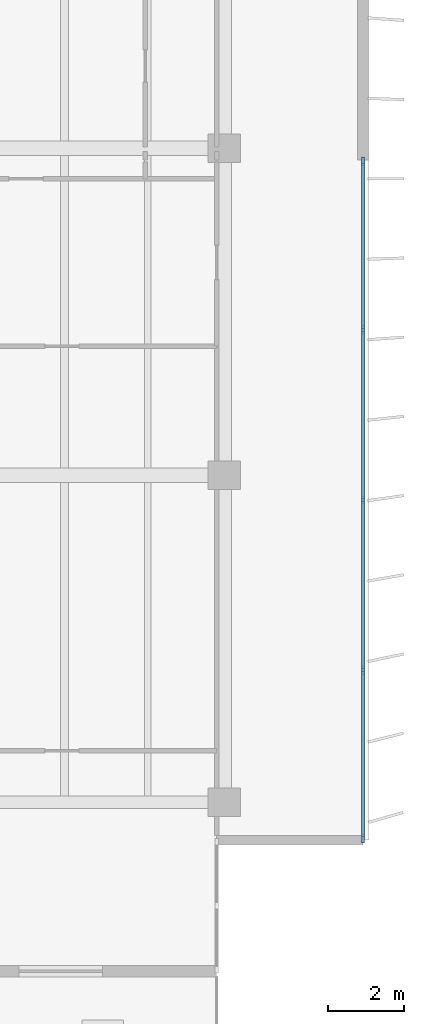
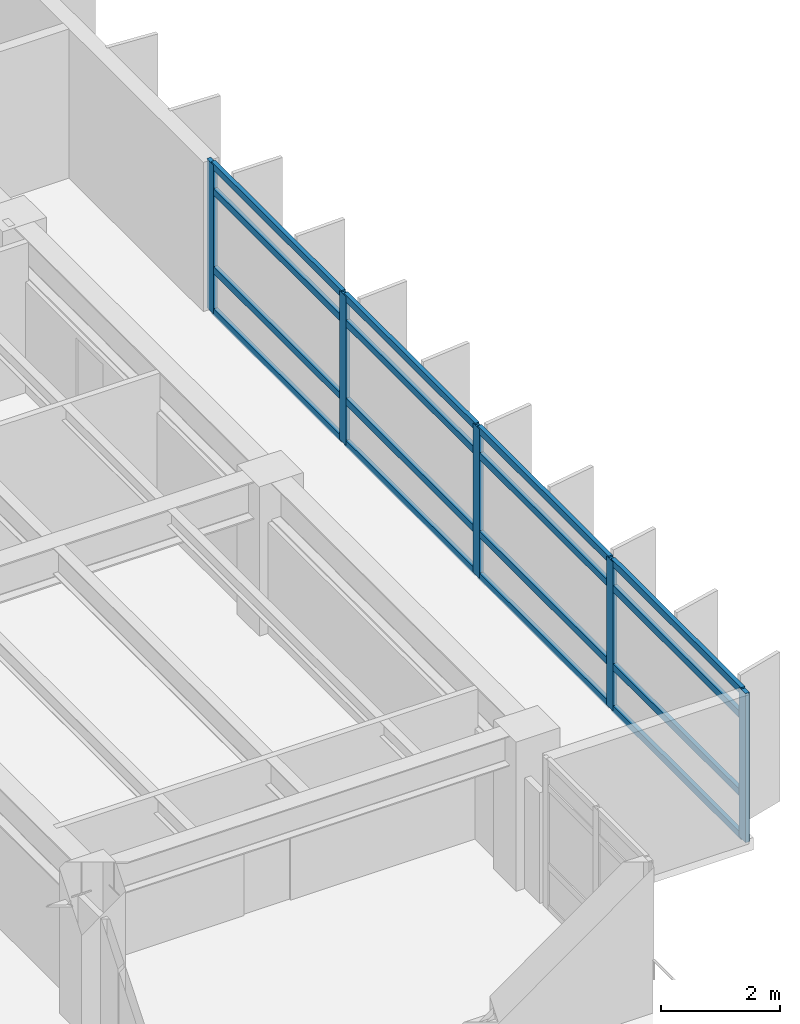
# One storey, part 6 of 19: 21 members, 1 element without a shape of its own.
"""IFC4 building model written with IfcOpenShell, lengths in metres."""

import ifcopenshell
import ifcopenshell.guid

model = None  # the IFC model being written
_history = None  # IfcOwnerHistory: only IFC2X3 demands one
_inside = {}  # id of a spatial element -> (the spatial element, [elements in it])
_under = {}  # id of a project, library or spatial element -> (it, [spatial elements below it])
_declared = {}  # id of a project -> (the project, [libraries it declares])
_typed = {}  # id of a type object -> (the type object, [elements of that type])
_made_of = {}  # id of a material, layer set ... -> (it, [elements and type objects made of it])


def new_model(schema):
    """Start an empty IFC model of exactly this schema.

    Asked for "IFC4X3", IfcOpenShell would pick the latest addendum, in which some entities
    have other attributes; the version numbers below select the first issue.
    IFC2X3 requires an IfcOwnerHistory on every rooted entity: one is made here for all.
    """
    global model, _history
    if schema == "IFC4X3":
        model = ifcopenshell.file(schema_version=(4, 3, 0, 0))
    else:
        model = ifcopenshell.file(schema=schema)
    _inside.clear()
    _under.clear()
    _declared.clear()
    _typed.clear()
    _made_of.clear()
    _history = None
    if model.schema == "IFC2X3":
        org = make("IfcOrganization", Name="unknown")
        user = make(
            "IfcPersonAndOrganization",
            ThePerson=make("IfcPerson", FamilyName="unknown"),
            TheOrganization=org,
        )
        app = make(
            "IfcApplication",
            ApplicationDeveloper=org,
            Version="unknown",
            ApplicationFullName="unknown",
            ApplicationIdentifier="unknown",
        )
        _history = make(
            "IfcOwnerHistory",
            OwningUser=user,
            OwningApplication=app,
            ChangeAction="ADDED",
            CreationDate=0,
        )
    return model


def make(cls, **values):
    """One entity of the class cls with the attributes given. An attribute that is None is left unset."""
    return model.create_entity(
        cls, **{name: value for name, value in values.items() if value is not None}
    )


def rooted(cls, **values):
    """An entity with a GlobalId (a new one), such as an element, a storey or a relation."""
    return make(cls, GlobalId=ifcopenshell.guid.new(), OwnerHistory=_history, **values)


def si_unit(unit_type, name, prefix=None):
    """IfcSIUnit, for example si_unit("LENGTHUNIT", "METRE", prefix="MILLI")."""
    return make("IfcSIUnit", UnitType=unit_type, Prefix=prefix, Name=name)


def assignment(units):
    """IfcUnitAssignment: the units of a project."""
    return None if units is None else make("IfcUnitAssignment", Units=units)


def point(xyz):
    """IfcCartesianPoint."""
    return None if xyz is None else make("IfcCartesianPoint", Coordinates=xyz)


def direction(xyz):
    """IfcDirection."""
    return None if xyz is None else make("IfcDirection", DirectionRatios=xyz)


def frame(location, z_axis=None, x_axis=None):
    """IfcAxis2Placement3D, a coordinate frame: its origin and axes. An axis left out is left unset."""
    return make(
        "IfcAxis2Placement3D",
        Location=point(location),
        Axis=direction(z_axis),
        RefDirection=direction(x_axis),
    )


def frame_2d(location, x_axis=None):
    """IfcAxis2Placement2D, a coordinate frame in the plane: its origin and x axis."""
    return make(
        "IfcAxis2Placement2D", Location=point(location), RefDirection=direction(x_axis)
    )


def origin():
    """The frame at (0, 0, 0) with its axes left unset."""
    return frame((0.0, 0.0, 0.0))


def origin_2d():
    """The frame at (0, 0) in the plane with its x axis left unset."""
    return frame_2d((0.0, 0.0))


def place(relative_to, where):
    """IfcLocalPlacement: puts the frame where relative to a parent placement (None: the world)."""
    return make(
        "IfcLocalPlacement", PlacementRelTo=relative_to, RelativePlacement=where
    )


def context(
    kind, dimensions, precision=None, world=None, true_north=None, identifier=None
):
    """IfcGeometricRepresentationContext, for example the 3D "Model" context."""
    return make(
        "IfcGeometricRepresentationContext",
        ContextIdentifier=identifier,
        ContextType=kind,
        CoordinateSpaceDimension=dimensions,
        Precision=precision,
        WorldCoordinateSystem=world,
        TrueNorth=true_north,
    )


def subcontext(parent, identifier, kind, view, scale=None):
    """IfcGeometricRepresentationSubContext, for example "Body" below "Model"."""
    return make(
        "IfcGeometricRepresentationSubContext",
        ContextIdentifier=identifier,
        ContextType=kind,
        ParentContext=parent,
        TargetScale=scale,
        TargetView=view,
    )


def project(units=None, contexts=None):
    """IfcProject with its units and contexts."""
    return rooted(
        "IfcProject",
        Name="project",
        RepresentationContexts=contexts,
        UnitsInContext=assignment(units),
    )


def spatial(cls, under=None, at=None, **own):
    """A site, building, storey or space (cls), placed at a placement, below another one or the project."""
    s = rooted(cls, ObjectPlacement=at, **own)
    if under is not None:
        _under.setdefault(under.id(), (under, []))[1].append(s)
    return s


def profile(cls, at=None, kind="AREA", **sizes):
    """A parametric profile (cls). Its sizes go by their IFC names, for example OverallWidth=200.0."""
    return make(cls, ProfileType=kind, Position=at, **sizes)


def rectangle(**sizes):
    """IfcRectangleProfileDef."""
    return profile("IfcRectangleProfileDef", **sizes)


def extrude(swept, where, along, depth):
    """IfcExtrudedAreaSolid: the profile swept, set in the frame where, extruded along a direction by depth."""
    return make(
        "IfcExtrudedAreaSolid",
        SweptArea=swept,
        Position=where,
        ExtrudedDirection=direction(along),
        Depth=depth,
    )


def shape(context_of_items, identifier, shape_type, items):
    """IfcShapeRepresentation: the items that make up one representation, for example the "Body"."""
    return make(
        "IfcShapeRepresentation",
        ContextOfItems=context_of_items,
        RepresentationIdentifier=identifier,
        RepresentationType=shape_type,
        Items=items,
    )


def material(Name=None, Category=None):
    """IfcMaterial."""
    return make("IfcMaterial", Name=Name, Category=Category)


def layer(
    of_material, thickness, ventilated=None, Name=None, Category=None, Priority=None
):
    """IfcMaterialLayer: one layer of a wall or slab, of a material (None: an air gap)."""
    return make(
        "IfcMaterialLayer",
        Material=of_material,
        LayerThickness=thickness,
        IsVentilated=ventilated,
        Name=Name,
        Category=Category,
        Priority=Priority,
    )


def layer_set(layers, Name=None):
    """IfcMaterialLayerSet."""
    return make("IfcMaterialLayerSet", MaterialLayers=layers, LayerSetName=Name)


def material_profile(
    of_material, cross_section, Name=None, Category=None, Priority=None
):
    """IfcMaterialProfile: a cross section and its material."""
    return make(
        "IfcMaterialProfile",
        Name=Name,
        Material=of_material,
        Profile=cross_section,
        Priority=Priority,
        Category=Category,
    )


def profile_set(profiles, Name=None, composite=None):
    """IfcMaterialProfileSet."""
    return make(
        "IfcMaterialProfileSet",
        Name=Name,
        MaterialProfiles=profiles,
        CompositeProfile=composite,
    )


def made_of(thing, what):
    """Note that an element or type object is made of a material, layer set ...; save() writes the relation."""
    if what is not None:
        _made_of.setdefault(what.id(), (what, []))[1].append(thing)
    return thing


def type_object(cls, material=None, **own):
    """A type object (cls), such as IfcWallType, which elements share."""
    return made_of(rooted(cls, **own), material)


def element(
    cls,
    number,
    at=None,
    inside=None,
    cuts=None,
    type_object=None,
    material=None,
    context=None,
    identifier="Body",
    shape_type=None,
    held_by="IfcProductDefinitionShape",
    body=None,
    shapes=None,
    **own,
):
    """One element of the class cls, such as IfcWall. Its Tag is "e" and its number.

    at: its placement. inside: the storey or other place that contains it. cuts: it is an
    opening in that element (IfcRelVoidsElement). A single representation is given by context,
    identifier, shape_type and body (its items); several are given by shapes. held_by: the class
    of the entity that holds the representations. save() writes the other relations.
    """
    e = rooted(cls, Tag="e%d" % number, ObjectPlacement=at, **own)
    if body is not None:
        shapes = [shape(context, identifier, shape_type, body)]
    if shapes is not None:
        e.Representation = make(held_by, Representations=shapes)
    if inside is not None:
        _inside.setdefault(inside.id(), (inside, []))[1].append(e)
    if cuts is not None:
        rooted(
            "IfcRelVoidsElement", RelatingBuildingElement=cuts, RelatedOpeningElement=e
        )
    if type_object is not None:
        _typed.setdefault(type_object.id(), (type_object, []))[1].append(e)
    return made_of(e, material)


def aggregate(whole, parts):
    """IfcRelAggregates: a whole, such as a stair, and the parts it consists of."""
    return rooted("IfcRelAggregates", RelatingObject=whole, RelatedObjects=parts)


def save(model, path):
    """Write the relations noted so far, then the file.

    IfcRelAggregates (storeys below a building ...), IfcRelContainedInSpatialStructure (elements
    in a storey), IfcRelDefinesByType, IfcRelAssociatesMaterial and IfcRelDeclares: one each for
    every whole, place, type object, material and project.
    """
    for whole, parts in _under.values():
        aggregate(whole, parts)
    for where, things in _inside.values():
        rooted(
            "IfcRelContainedInSpatialStructure",
            RelatedElements=things,
            RelatingStructure=where,
        )
    for kind, things in _typed.values():
        rooted("IfcRelDefinesByType", RelatedObjects=things, RelatingType=kind)
    for what, things in _made_of.values():
        rooted("IfcRelAssociatesMaterial", RelatedObjects=things, RelatingMaterial=what)
    for by, libraries in _declared.values():
        rooted("IfcRelDeclares", RelatingContext=by, RelatedDefinitions=libraries)
    model.write(path)


model = new_model("IFC4")

# Units and contexts
model_context = context("Model", 3, precision=1e-05, world=origin(), true_north=direction((0.0, 1.0)))
body_context = subcontext(model_context, "Body", "Model", "MODEL_VIEW")
ifc_project = project(units=[si_unit("LENGTHUNIT", "METRE"), si_unit("AREAUNIT", "SQUARE_METRE"), si_unit("VOLUMEUNIT", "CUBIC_METRE"), si_unit("PLANEANGLEUNIT", "RADIAN"), si_unit("MASSUNIT", "GRAM", prefix="KILO")], contexts=[model_context])

# Site, building, storey
site_placement = place(None, origin())
site = spatial("IfcSite", under=ifc_project, at=site_placement, CompositionType="ELEMENT")
building_placement = place(site_placement, origin())
building = spatial("IfcBuilding", under=site, at=building_placement, Name="Caelmar Bay Residences", CompositionType="ELEMENT")
storey_placement = place(building_placement, frame((0.0, 0.0, 163.800048828125)))
storey = spatial("IfcBuildingStorey", under=building, at=storey_placement, Name="L45", CompositionType="ELEMENT", Elevation=163.800048828125)

# Curtain wall, members
ifc_material_1 = material(Name="Anodised bronze aluminium 6063-T6 and laminated glass", Category="aluminium")
ifc_layer = layer(ifc_material_1, 0.179931640625)
ifc_layer_set = layer_set([ifc_layer], Name="Anodised bronze aluminium 6063-T6 and laminated glass")
curtain_wall_type = type_object("IfcCurtainWallType", Name="CW4-Z3", PredefinedType="NOTDEFINED", material=ifc_layer_set)
curtain_wall_placement = place(storey_placement, origin())
curtain_wall = element("IfcCurtainWall", 1, at=curtain_wall_placement, inside=storey, type_object=curtain_wall_type, Name="CW4 curtain wall L45", PredefinedType="NOTDEFINED")
ifc_material_2 = material(Name="Anodised bronze aluminium 6063-T6", Category="aluminium")
ifc_material_profile_1 = material_profile(ifc_material_2, rectangle(XDim=0.080078125, YDim=0.219970703125, at=origin_2d()), Name="CWM-80X220")
ifc_profile_set_1 = profile_set([ifc_material_profile_1], Name="Anodised bronze aluminium 6063-T6")
member_type_1 = type_object("IfcMemberType", Name="CWM-220", PredefinedType="MULLION", material=ifc_profile_set_1)
member_1_placement = place(storey_placement, frame((71.550048828125, 29.06005859375, 0.0), z_axis=(0.0, 0.0, 1.0), x_axis=(1.0, 0.0, 0.0)))
member_1 = element("IfcMember", 2, at=member_1_placement, type_object=member_type_1, Name="CW4 mullion 1", PredefinedType="MULLION", context=body_context, shape_type="SweptSolid", body=[
    extrude(rectangle(XDim=0.080078125, YDim=0.219970703125, at=origin_2d()), origin(), (0.0, 0.0, 1.0), 3.050048828125),
])
member_2_placement = place(storey_placement, frame((71.550048828125, 24.625, 0.0), z_axis=(0.0, 0.0, 1.0), x_axis=(1.0, 0.0, 0.0)))
member_2 = element("IfcMember", 3, at=member_2_placement, type_object=member_type_1, Name="CW4 mullion 2", PredefinedType="MULLION", context=body_context, shape_type="SweptSolid", body=[
    extrude(rectangle(XDim=0.080078125, YDim=0.219970703125, at=origin_2d()), origin(), (0.0, 0.0, 1.0), 3.050048828125),
])
member_3_placement = place(storey_placement, frame((71.550048828125, 20.14990234375, 0.0), z_axis=(0.0, 0.0, 1.0), x_axis=(1.0, 0.0, 0.0)))
member_3 = element("IfcMember", 4, at=member_3_placement, type_object=member_type_1, Name="CW4 mullion 3", PredefinedType="MULLION", context=body_context, shape_type="SweptSolid", body=[
    extrude(rectangle(XDim=0.080078125, YDim=0.219970703125, at=origin_2d()), origin(), (0.0, 0.0, 1.0), 3.050048828125),
])
member_4_placement = place(storey_placement, frame((71.550048828125, 15.675048828125, 0.0), z_axis=(0.0, 0.0, 1.0), x_axis=(1.0, 0.0, 0.0)))
member_4 = element("IfcMember", 5, at=member_4_placement, type_object=member_type_1, Name="CW4 mullion 4", PredefinedType="MULLION", context=body_context, shape_type="SweptSolid", body=[
    extrude(rectangle(XDim=0.080078125, YDim=0.219970703125, at=origin_2d()), origin(), (0.0, 0.0, 1.0), 3.050048828125),
])
member_5_placement = place(storey_placement, frame((71.550048828125, 11.239990234375, 0.0), z_axis=(0.0, 0.0, 1.0), x_axis=(1.0, 0.0, 0.0)))
member_5 = element("IfcMember", 6, at=member_5_placement, type_object=member_type_1, Name="CW4 mullion 5", PredefinedType="MULLION", context=body_context, shape_type="SweptSolid", body=[
    extrude(rectangle(XDim=0.080078125, YDim=0.219970703125, at=origin_2d()), origin(), (0.0, 0.0, 1.0), 3.050048828125),
])
ifc_material_profile_2 = material_profile(ifc_material_2, rectangle(XDim=0.080078125, YDim=0.139892578125, at=origin_2d()), Name="CWT-80X140")
ifc_profile_set_2 = profile_set([ifc_material_profile_2], Name="Anodised bronze aluminium 6063-T6")
member_type_2 = type_object("IfcMemberType", Name="CWT-140", PredefinedType="NOTDEFINED", material=ifc_profile_set_2)
member_6_placement = place(storey_placement, frame((71.550048828125, 29.02001953125, 0.0400390625), z_axis=(0.0, -1.0, 0.0), x_axis=(1.0, 0.0, 0.0)))
member_6 = element("IfcMember", 7, at=member_6_placement, type_object=member_type_2, Name="CW4 transom 1.1", ObjectType="TRANSOM", PredefinedType="USERDEFINED", context=body_context, shape_type="SweptSolid", body=[
    extrude(rectangle(XDim=0.080078125, YDim=0.139892578125, at=origin_2d()), origin(), (0.0, 0.0, 1.0), 4.35498046875),
])
member_7_placement = place(storey_placement, frame((71.550048828125, 29.02001953125, 0.89990234375), z_axis=(0.0, -1.0, 0.0), x_axis=(1.0, 0.0, 0.0)))
member_7 = element("IfcMember", 8, at=member_7_placement, type_object=member_type_2, Name="CW4 transom 1.2", ObjectType="TRANSOM", PredefinedType="USERDEFINED", context=body_context, shape_type="SweptSolid", body=[
    extrude(rectangle(XDim=0.080078125, YDim=0.139892578125, at=origin_2d()), origin(), (0.0, 0.0, 1.0), 4.35498046875),
])
member_8_placement = place(storey_placement, frame((71.550048828125, 29.02001953125, 2.5), z_axis=(0.0, -1.0, 0.0), x_axis=(1.0, 0.0, 0.0)))
member_8 = element("IfcMember", 9, at=member_8_placement, type_object=member_type_2, Name="CW4 transom 1.3", ObjectType="TRANSOM", PredefinedType="USERDEFINED", context=body_context, shape_type="SweptSolid", body=[
    extrude(rectangle(XDim=0.080078125, YDim=0.139892578125, at=origin_2d()), origin(), (0.0, 0.0, 1.0), 4.35498046875),
])
member_9_placement = place(storey_placement, frame((71.550048828125, 29.02001953125, 3.010009765625), z_axis=(0.0, -1.0, 0.0), x_axis=(1.0, 0.0, 0.0)))
member_9 = element("IfcMember", 10, at=member_9_placement, type_object=member_type_2, Name="CW4 transom 1.4", ObjectType="TRANSOM", PredefinedType="USERDEFINED", context=body_context, shape_type="SweptSolid", body=[
    extrude(rectangle(XDim=0.080078125, YDim=0.139892578125, at=origin_2d()), origin(), (0.0, 0.0, 1.0), 4.35498046875),
])
member_10_placement = place(storey_placement, frame((71.550048828125, 24.5849609375, 0.0400390625), z_axis=(0.0, -1.0, 0.0), x_axis=(1.0, 0.0, 0.0)))
member_10 = element("IfcMember", 11, at=member_10_placement, type_object=member_type_2, Name="CW4 transom 2.1", ObjectType="TRANSOM", PredefinedType="USERDEFINED", context=body_context, shape_type="SweptSolid", body=[
    extrude(rectangle(XDim=0.080078125, YDim=0.139892578125, at=origin_2d()), origin(), (0.0, 0.0, 1.0), 4.39501953125),
])
member_11_placement = place(storey_placement, frame((71.550048828125, 24.5849609375, 0.89990234375), z_axis=(0.0, -1.0, 0.0), x_axis=(1.0, 0.0, 0.0)))
member_11 = element("IfcMember", 12, at=member_11_placement, type_object=member_type_2, Name="CW4 transom 2.2", ObjectType="TRANSOM", PredefinedType="USERDEFINED", context=body_context, shape_type="SweptSolid", body=[
    extrude(rectangle(XDim=0.080078125, YDim=0.139892578125, at=origin_2d()), origin(), (0.0, 0.0, 1.0), 4.39501953125),
])
member_12_placement = place(storey_placement, frame((71.550048828125, 24.5849609375, 2.5), z_axis=(0.0, -1.0, 0.0), x_axis=(1.0, 0.0, 0.0)))
member_12 = element("IfcMember", 13, at=member_12_placement, type_object=member_type_2, Name="CW4 transom 2.3", ObjectType="TRANSOM", PredefinedType="USERDEFINED", context=body_context, shape_type="SweptSolid", body=[
    extrude(rectangle(XDim=0.080078125, YDim=0.139892578125, at=origin_2d()), origin(), (0.0, 0.0, 1.0), 4.39501953125),
])
member_13_placement = place(storey_placement, frame((71.550048828125, 24.5849609375, 3.010009765625), z_axis=(0.0, -1.0, 0.0), x_axis=(1.0, 0.0, 0.0)))
member_13 = element("IfcMember", 14, at=member_13_placement, type_object=member_type_2, Name="CW4 transom 2.4", ObjectType="TRANSOM", PredefinedType="USERDEFINED", context=body_context, shape_type="SweptSolid", body=[
    extrude(rectangle(XDim=0.080078125, YDim=0.139892578125, at=origin_2d()), origin(), (0.0, 0.0, 1.0), 4.39501953125),
])
member_14_placement = place(storey_placement, frame((71.550048828125, 20.110107421875, 0.0400390625), z_axis=(0.0, -1.0, 0.0), x_axis=(1.0, 0.0, 0.0)))
member_14 = element("IfcMember", 15, at=member_14_placement, type_object=member_type_2, Name="CW4 transom 3.1", ObjectType="TRANSOM", PredefinedType="USERDEFINED", context=body_context, shape_type="SweptSolid", body=[
    extrude(rectangle(XDim=0.080078125, YDim=0.139892578125, at=origin_2d()), origin(), (0.0, 0.0, 1.0), 4.39501953125),
])
member_15_placement = place(storey_placement, frame((71.550048828125, 20.110107421875, 0.89990234375), z_axis=(0.0, -1.0, 0.0), x_axis=(1.0, 0.0, 0.0)))
member_15 = element("IfcMember", 16, at=member_15_placement, type_object=member_type_2, Name="CW4 transom 3.2", ObjectType="TRANSOM", PredefinedType="USERDEFINED", context=body_context, shape_type="SweptSolid", body=[
    extrude(rectangle(XDim=0.080078125, YDim=0.139892578125, at=origin_2d()), origin(), (0.0, 0.0, 1.0), 4.39501953125),
])
member_16_placement = place(storey_placement, frame((71.550048828125, 20.110107421875, 2.5), z_axis=(0.0, -1.0, 0.0), x_axis=(1.0, 0.0, 0.0)))
member_16 = element("IfcMember", 17, at=member_16_placement, type_object=member_type_2, Name="CW4 transom 3.3", ObjectType="TRANSOM", PredefinedType="USERDEFINED", context=body_context, shape_type="SweptSolid", body=[
    extrude(rectangle(XDim=0.080078125, YDim=0.139892578125, at=origin_2d()), origin(), (0.0, 0.0, 1.0), 4.39501953125),
])
member_17_placement = place(storey_placement, frame((71.550048828125, 20.110107421875, 3.010009765625), z_axis=(0.0, -1.0, 0.0), x_axis=(1.0, 0.0, 0.0)))
member_17 = element("IfcMember", 18, at=member_17_placement, type_object=member_type_2, Name="CW4 transom 3.4", ObjectType="TRANSOM", PredefinedType="USERDEFINED", context=body_context, shape_type="SweptSolid", body=[
    extrude(rectangle(XDim=0.080078125, YDim=0.139892578125, at=origin_2d()), origin(), (0.0, 0.0, 1.0), 4.39501953125),
])
member_18_placement = place(storey_placement, frame((71.550048828125, 15.635009765625, 0.0400390625), z_axis=(0.0, -1.0, 0.0), x_axis=(1.0, 0.0, 0.0)))
member_18 = element("IfcMember", 19, at=member_18_placement, type_object=member_type_2, Name="CW4 transom 4.1", ObjectType="TRANSOM", PredefinedType="USERDEFINED", context=body_context, shape_type="SweptSolid", body=[
    extrude(rectangle(XDim=0.080078125, YDim=0.139892578125, at=origin_2d()), origin(), (0.0, 0.0, 1.0), 4.35498046875),
])
member_19_placement = place(storey_placement, frame((71.550048828125, 15.635009765625, 0.89990234375), z_axis=(0.0, -1.0, 0.0), x_axis=(1.0, 0.0, 0.0)))
member_19 = element("IfcMember", 20, at=member_19_placement, type_object=member_type_2, Name="CW4 transom 4.2", ObjectType="TRANSOM", PredefinedType="USERDEFINED", context=body_context, shape_type="SweptSolid", body=[
    extrude(rectangle(XDim=0.080078125, YDim=0.139892578125, at=origin_2d()), origin(), (0.0, 0.0, 1.0), 4.35498046875),
])
member_20_placement = place(storey_placement, frame((71.550048828125, 15.635009765625, 2.5), z_axis=(0.0, -1.0, 0.0), x_axis=(1.0, 0.0, 0.0)))
member_20 = element("IfcMember", 21, at=member_20_placement, type_object=member_type_2, Name="CW4 transom 4.3", ObjectType="TRANSOM", PredefinedType="USERDEFINED", context=body_context, shape_type="SweptSolid", body=[
    extrude(rectangle(XDim=0.080078125, YDim=0.139892578125, at=origin_2d()), origin(), (0.0, 0.0, 1.0), 4.35498046875),
])
member_21_placement = place(storey_placement, frame((71.550048828125, 15.635009765625, 3.010009765625), z_axis=(0.0, -1.0, 0.0), x_axis=(1.0, 0.0, 0.0)))
member_21 = element("IfcMember", 22, at=member_21_placement, type_object=member_type_2, Name="CW4 transom 4.4", ObjectType="TRANSOM", PredefinedType="USERDEFINED", context=body_context, shape_type="SweptSolid", body=[
    extrude(rectangle(XDim=0.080078125, YDim=0.139892578125, at=origin_2d()), origin(), (0.0, 0.0, 1.0), 4.35498046875),
])
aggregate(curtain_wall, [member_1, member_2, member_3, member_4, member_5, member_6, member_7, member_8, member_9, member_10, member_11, member_12, member_13, member_14, member_15, member_16, member_17, member_18, member_19, member_20, member_21])

save(model, "model.ifc")
